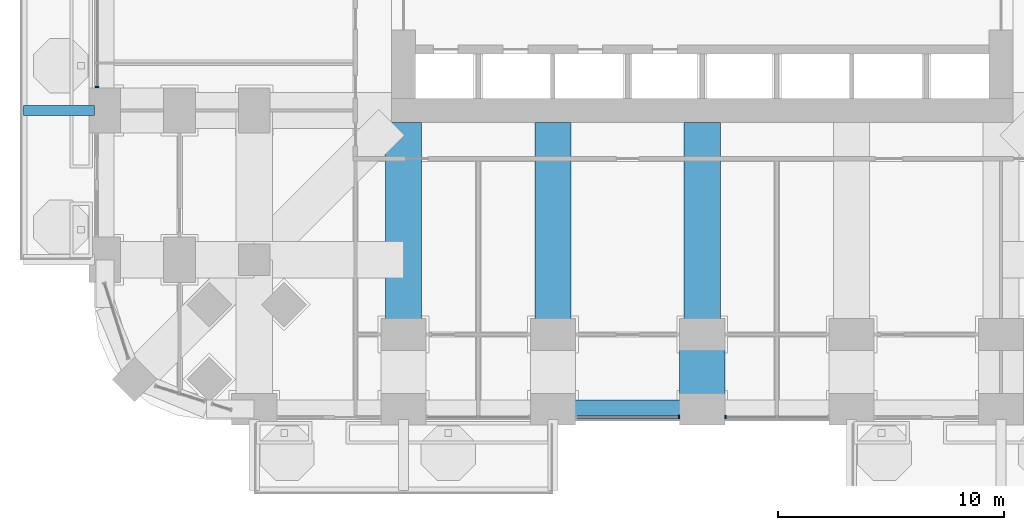
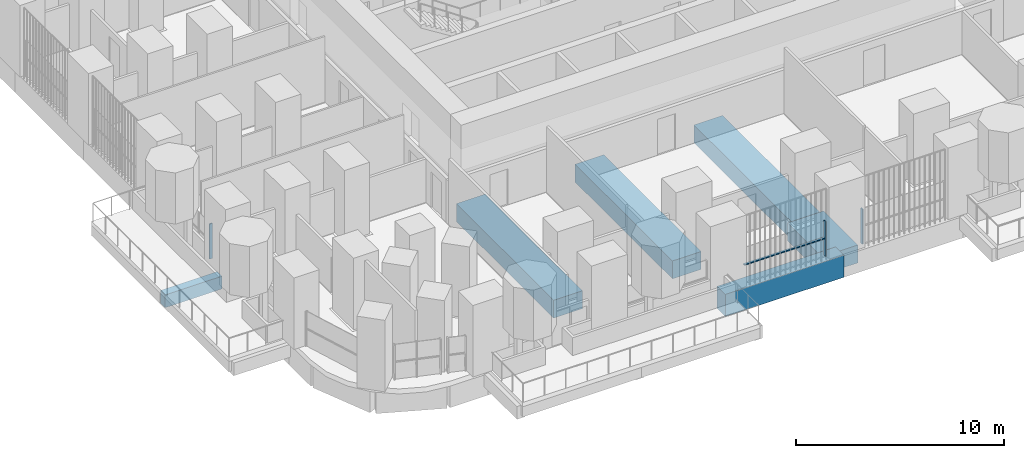
# One storey, part 3 of 27: 6 beams, 4 members, 3 elements without a shape of their own.
"""IFC4 building model written with IfcOpenShell, lengths in metres."""

from ifc_helpers import new_model, si_unit, direction, frame, origin, origin_2d, place, context, subcontext, project, spatial, rectangle, extrude, material, material_profile, profile_set, type_object, element, aggregate, save


model = new_model("IFC4")

# Units and contexts
model_context = context("Model", 3, precision=1e-05, world=origin(), true_north=direction((0.0, 1.0)))
body_context = subcontext(model_context, "Body", "Model", "MODEL_VIEW")
ifc_project = project(units=[si_unit("LENGTHUNIT", "METRE"), si_unit("AREAUNIT", "SQUARE_METRE"), si_unit("VOLUMEUNIT", "CUBIC_METRE"), si_unit("PLANEANGLEUNIT", "RADIAN"), si_unit("MASSUNIT", "GRAM", prefix="KILO")], contexts=[model_context])

# Site, building, storey
site_placement = place(None, origin())
site = spatial("IfcSite", under=ifc_project, at=site_placement, CompositionType="ELEMENT")
building_placement = place(site_placement, origin())
building = spatial("IfcBuilding", under=site, at=building_placement, Name="Cobogo Forest Laboratory Tower", CompositionType="ELEMENT")
storey_placement = place(building_placement, frame((0.0, 0.0, 71.699951171875)))
storey = spatial("IfcBuildingStorey", under=building, at=storey_placement, Name="L16", CompositionType="ELEMENT", Elevation=71.699951171875)

# Beams
ifc_material_1 = material(Name="Concrete HA-40 (C40/50)", Category="concrete")
ifc_material_profile_1 = material_profile(ifc_material_1, rectangle(XDim=0.449951171875, YDim=0.75, at=origin_2d()), Name="RC 450x750")
ifc_profile_set_1 = profile_set([ifc_material_profile_1], Name="Concrete HA-40 (C40/50)")
beam_type_1 = type_object("IfcBeamType", Name="Balcony cantilever beam 450x750", PredefinedType="BEAM", material=ifc_profile_set_1)
beam_1_placement = place(storey_placement, frame((-0.449951171875, 13.199951171875, -0.625), z_axis=(-1.0, 0.0, 0.0), x_axis=(0.0, -1.0, 0.0)))
element("IfcBeam", 1, at=beam_1_placement, inside=storey, type_object=beam_type_1, Name="CB1 BAL-W1-C2 L16", PredefinedType="BEAM", context=body_context, shape_type="SweptSolid", body=[
    extrude(rectangle(XDim=0.449951171875, YDim=0.75, at=origin_2d()), origin(), (0.0, 0.0, 1.0), 3.150146484375),
])
ifc_material_2 = material(Name="Concrete HA-50 (C50/60)", Category="concrete")
ifc_material_profile_2 = material_profile(ifc_material_2, rectangle(XDim=2.0, YDim=1.050048828125, at=origin_2d()), Name="RC 2000x1050")
ifc_profile_set_2 = profile_set([ifc_material_profile_2], Name="Concrete HA-50 (C50/60)")
beam_type_2 = type_object("IfcBeamType", Name="End-bay wide beam 2000x1050", PredefinedType="BEAM", material=ifc_profile_set_2)
beam_2_placement = place(storey_placement, frame((26.39990234375, 0.0, -0.824951171875), z_axis=(0.0, 1.0, 0.0), x_axis=(-1.0, 0.0, 0.0)))
element("IfcBeam", 2, at=beam_2_placement, inside=storey, type_object=beam_type_2, Name="RB7 R-5-S-X L16", PredefinedType="BEAM", context=body_context, shape_type="SweptSolid", body=[
    extrude(rectangle(XDim=2.0, YDim=1.050048828125, at=origin_2d()), origin(), (0.0, 0.0, 1.0), 3.300048828125),
])
ifc_material_profile_3 = material_profile(ifc_material_2, rectangle(XDim=1.60009765625, YDim=1.050048828125, at=origin_2d()), Name="RC 1600x1050")
ifc_profile_set_3 = profile_set([ifc_material_profile_3], Name="Concrete HA-50 (C50/60)")
beam_type_3 = type_object("IfcBeamType", Name="Laboratory floor wide beam 1600x1050", PredefinedType="BEAM", material=ifc_profile_set_3)
for number, where, z_axis, x_axis, name in (
    (3, (13.199951171875, 12.675048828125, -0.824951171875), (0.0, -1.0, 0.0), (1.0, 0.0, 0.0), "RB8 R-3-S L16"),
    (4, (19.800048828125, 12.675048828125, -0.824951171875), (0.0, -1.0, 0.0), (1.0, 0.0, 0.0), "RB8 R-4-S L16"),
    (5, (26.39990234375, 12.675048828125, -0.824951171875), (0.0, -1.0, 0.0), (1.0, 0.0, 0.0), "RB8 R-5-S L16"),
):
    element("IfcBeam", number, at=place(storey_placement, frame(where, z_axis=z_axis, x_axis=x_axis)), inside=storey, type_object=beam_type_3, Name=name, PredefinedType="BEAM", context=body_context, shape_type="SweptSolid", body=[
        extrude(rectangle(XDim=1.60009765625, YDim=1.050048828125, at=origin_2d()), origin(), (0.0, 0.0, 1.0), 9.375),
    ])

# Curtain wall, member
ifc_material_3 = material(Name="Aluminium curtain wall", Category="aluminium")
curtain_wall_type = type_object("IfcCurtainWallType", Name="CW-1 unitised curtain wall, clear glazing, laboratory floors zones A and B", PredefinedType="USERDEFINED", material=ifc_material_3)
curtain_wall_1_placement = place(storey_placement, origin())
curtain_wall_1 = element("IfcCurtainWall", 6, at=curtain_wall_1_placement, inside=storey, type_object=curtain_wall_type, Name="Curtain wall 03 L16", ObjectType="UNITISED CURTAIN WALL", PredefinedType="USERDEFINED")
ifc_material_4 = material(Name="Aluminium mullion", Category="aluminium")
ifc_material_profile_4 = material_profile(ifc_material_4, rectangle(XDim=0.06005859375, YDim=0.159912109375, at=origin_2d()), Name="AL 60x160")
ifc_profile_set_4 = profile_set([ifc_material_profile_4], Name="Aluminium mullion")
member_type_1 = type_object("IfcMemberType", Name="MU-1 aluminium mullion 60x160", PredefinedType="MULLION", material=ifc_profile_set_4)
member_1_placement = place(storey_placement, frame((25.3701171875, -0.35009765625, 0.0), z_axis=(0.0, 0.0, 1.0), x_axis=(1.0, 0.0, 0.0)))
member_1 = element("IfcMember", 7, at=member_1_placement, type_object=member_type_1, Name="CW-1 mullion 2", PredefinedType="MULLION", context=body_context, shape_type="SweptSolid", body=[
    extrude(rectangle(XDim=0.06005859375, YDim=0.159912109375, at=origin_2d()), origin(), (0.0, 0.0, 1.0), 2.050048828125),
])

curtain_wall_2_placement = place(storey_placement, origin())
curtain_wall_2 = element("IfcCurtainWall", 8, at=curtain_wall_2_placement, inside=storey, type_object=curtain_wall_type, Name="Curtain wall 04 L16", ObjectType="UNITISED CURTAIN WALL", PredefinedType="USERDEFINED")
member_2_placement = place(storey_placement, frame((27.429931640625, -0.35009765625, 0.0), z_axis=(0.0, 0.0, 1.0), x_axis=(1.0, 0.0, 0.0)))
member_2 = element("IfcMember", 9, at=member_2_placement, type_object=member_type_1, Name="CW-1 mullion 1", PredefinedType="MULLION", context=body_context, shape_type="SweptSolid", body=[
    extrude(rectangle(XDim=0.06005859375, YDim=0.159912109375, at=origin_2d()), origin(), (0.0, 0.0, 1.0), 2.050048828125),
])
aggregate(curtain_wall_2, [member_2])

curtain_wall_3_placement = place(storey_placement, origin())
curtain_wall_3 = element("IfcCurtainWall", 10, at=curtain_wall_3_placement, inside=storey, type_object=curtain_wall_type, Name="Curtain wall 30 L16", ObjectType="UNITISED CURTAIN WALL", PredefinedType="USERDEFINED")
member_3_placement = place(storey_placement, frame((-0.35009765625, 14.22998046875, 0.0), z_axis=(0.0, 0.0, 1.0), x_axis=(0.0, -1.0, 0.0)))
member_3 = element("IfcMember", 11, at=member_3_placement, type_object=member_type_1, Name="CW-1 mullion 3", PredefinedType="MULLION", context=body_context, shape_type="SweptSolid", body=[
    extrude(rectangle(XDim=0.06005859375, YDim=0.159912109375, at=origin_2d()), origin(), (0.0, 0.0, 1.0), 2.050048828125),
])
aggregate(curtain_wall_3, [member_3])

# Beam
ifc_material_profile_5 = material_profile(ifc_material_1, rectangle(XDim=0.800048828125, YDim=1.300048828125, at=origin_2d()), Name="RC 800x1300")
ifc_profile_set_5 = profile_set([ifc_material_profile_5], Name="Concrete HA-40 (C40/50)")
beam_type_4 = type_object("IfcBeamType", Name="Perimeter edge beam 800x1300", PredefinedType="BEAM", material=ifc_profile_set_5)
beam_3_placement = place(storey_placement, frame((19.800048828125, 0.0, -0.949951171875), z_axis=(1.0, 0.0, 0.0), x_axis=(0.0, 1.0, 0.0)))
element("IfcBeam", 12, at=beam_3_placement, inside=storey, type_object=beam_type_4, Name="EB2 E-S3 L16", PredefinedType="BEAM", context=body_context, shape_type="SweptSolid", body=[
    extrude(rectangle(XDim=0.800048828125, YDim=1.300048828125, at=origin_2d()), origin(), (0.0, 0.0, 1.0), 6.599853515625),
])

# Member
ifc_material_5 = material(Name="Aluminium transom", Category="aluminium")
ifc_material_profile_6 = material_profile(ifc_material_5, rectangle(XDim=0.1201171875, YDim=0.06005859375, at=origin_2d()), Name="AL 60x120")
ifc_profile_set_6 = profile_set([ifc_material_profile_6], Name="Aluminium transom")
member_type_2 = type_object("IfcMemberType", Name="TR-1 aluminium transom 60x120", PredefinedType="USERDEFINED", material=ifc_profile_set_6)
member_4_placement = place(storey_placement, frame((20.860107421875, -0.35009765625, 1.050048828125), z_axis=(1.0, 0.0, 0.0), x_axis=(0.0, 1.0, 0.0)))
member_4 = element("IfcMember", 13, at=member_4_placement, type_object=member_type_2, Name="CW-1 transom 1.1", ObjectType="TRANSOM", PredefinedType="USERDEFINED", context=body_context, shape_type="SweptSolid", body=[
    extrude(rectangle(XDim=0.1201171875, YDim=0.06005859375, at=origin_2d()), origin(), (0.0, 0.0, 1.0), 4.47998046875),
])

aggregate(curtain_wall_1, [member_1, member_4])

save(model, "model.ifc")
